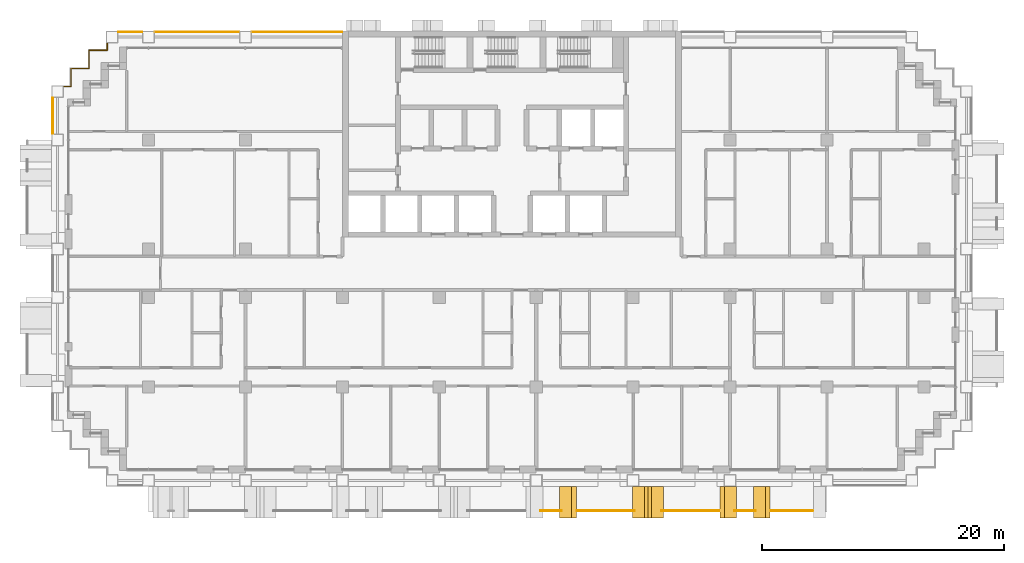
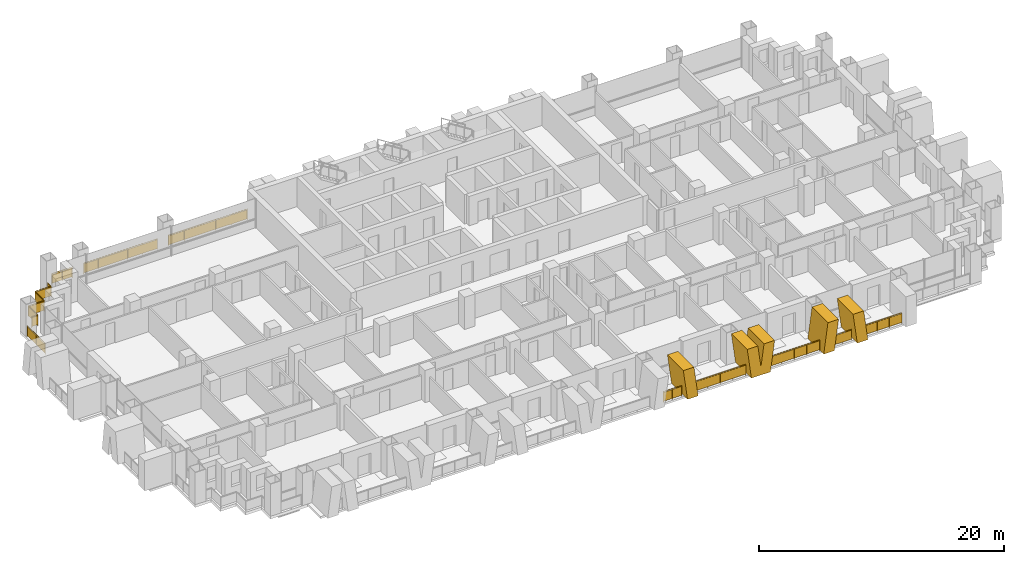
# One storey, part 16 of 18: 10 railings, 4 shading devices.
"""IFC4 building model written with IfcOpenShell, lengths in metres."""

from ifc_helpers import new_model, si_unit, direction, frame, origin, origin_2d, place, context, subcontext, project, spatial, polyline, rectangle, circle, outline, extrude, material, layer, layer_set, type_object, element, save


model = new_model("IFC4")

# Units and contexts
model_context = context("Model", 3, precision=1e-05, world=origin(), true_north=direction((0.0, 1.0)))
body_context = subcontext(model_context, "Body", "Model", "MODEL_VIEW")
ifc_project = project(units=[si_unit("LENGTHUNIT", "METRE"), si_unit("AREAUNIT", "SQUARE_METRE"), si_unit("VOLUMEUNIT", "CUBIC_METRE"), si_unit("PLANEANGLEUNIT", "RADIAN"), si_unit("MASSUNIT", "GRAM", prefix="KILO")], contexts=[model_context])

# Site, building, storey
site_placement = place(None, origin())
site = spatial("IfcSite", under=ifc_project, at=site_placement, CompositionType="ELEMENT")
building_placement = place(site_placement, origin())
building = spatial("IfcBuilding", under=site, at=building_placement, Name="Vidyagriha Tower", CompositionType="ELEMENT")
storey_placement = place(building_placement, frame((0.0, 0.0, 44.800048828125)))
storey = spatial("IfcBuildingStorey", under=building, at=storey_placement, Name="L11", CompositionType="ELEMENT", Elevation=44.800048828125)

# Railings
ifc_material_1 = material(Name="Steel ASTM A500 Grade C black painted", Category="steel")
railing_type_1 = type_object("IfcRailingType", Name="Balcony guard 1100", PredefinedType="BALUSTRADE", material=ifc_material_1)
railing_1_placement = place(storey_placement, frame((2.346435546875, -19.60009765625, 0.0)))
element("IfcRailing", 1, at=railing_1_placement, inside=storey, type_object=railing_type_1, Name="Balcony guard L11 R23.1-7", PredefinedType="BALUSTRADE", context=body_context, shape_type="SweptSolid", body=[
    extrude(circle(Radius=0.02490234375, at=origin_2d()), frame((0.0, 0.0, 1.0751953125), z_axis=(1.0, 0.0, 0.0), x_axis=(0.0, 1.0, 0.0)), (0.0, 0.0, 1.0), 1.757080078125),
    extrude(circle(Radius=0.02001953125, at=origin_2d()), origin(), (0.0, 0.0, 1.0), 1.050048828125),
    extrude(circle(Radius=0.02001953125, at=origin_2d()), frame((0.87841796875, 0.0, 0.0)), (0.0, 0.0, 1.0), 1.050048828125),
    extrude(circle(Radius=0.02001953125, at=origin_2d()), frame((1.757080078125, 0.0, 0.0)), (0.0, 0.0, 1.0), 1.050048828125),
    extrude(rectangle(XDim=0.010009765625, YDim=0.900146484375, at=origin_2d()), frame((0.0, 0.0, 0.550048828125), z_axis=(1.0, 0.0, 0.0), x_axis=(0.0, 1.0, 0.0)), (0.0, 0.0, 1.0), 1.757080078125),
])
railing_2_placement = place(storey_placement, frame((5.35498046875, -19.60009765625, 0.0)))
element("IfcRailing", 2, at=railing_2_placement, inside=storey, type_object=railing_type_1, Name="Balcony guard L11 R23.1-8", PredefinedType="BALUSTRADE", context=body_context, shape_type="SweptSolid", body=[
    extrude(circle(Radius=0.02490234375, at=origin_2d()), frame((0.0, 0.0, 1.0751953125), z_axis=(1.0, 0.0, 0.0), x_axis=(0.0, 1.0, 0.0)), (0.0, 0.0, 1.0), 4.773681640625),
    extrude(circle(Radius=0.02001953125, at=origin_2d()), origin(), (0.0, 0.0, 1.0), 1.050048828125),
    extrude(circle(Radius=0.02001953125, at=origin_2d()), frame((1.193359375, 0.0, 0.0)), (0.0, 0.0, 1.0), 1.050048828125),
    extrude(circle(Radius=0.02001953125, at=origin_2d()), frame((2.38671875, 0.0, 0.0)), (0.0, 0.0, 1.0), 1.050048828125),
    extrude(circle(Radius=0.02001953125, at=origin_2d()), frame((3.580322265625, 0.0, 0.0)), (0.0, 0.0, 1.0), 1.050048828125),
    extrude(circle(Radius=0.02001953125, at=origin_2d()), frame((4.773681640625, 0.0, 0.0)), (0.0, 0.0, 1.0), 1.050048828125),
    extrude(rectangle(XDim=0.010009765625, YDim=0.900146484375, at=origin_2d()), frame((0.0, 0.0, 0.550048828125), z_axis=(1.0, 0.0, 0.0), x_axis=(0.0, 1.0, 0.0)), (0.0, 0.0, 1.0), 4.773681640625),
])
railing_3_placement = place(storey_placement, frame((12.321533203125, -19.60009765625, 0.0)))
element("IfcRailing", 3, at=railing_3_placement, inside=storey, type_object=railing_type_1, Name="Balcony guard L11 R23.1-9", PredefinedType="BALUSTRADE", context=body_context, shape_type="SweptSolid", body=[
    extrude(circle(Radius=0.02490234375, at=origin_2d()), frame((0.0, 0.0, 1.0751953125), z_axis=(1.0, 0.0, 0.0), x_axis=(0.0, 1.0, 0.0)), (0.0, 0.0, 1.0), 4.7734375),
    extrude(circle(Radius=0.02001953125, at=origin_2d()), origin(), (0.0, 0.0, 1.0), 1.050048828125),
    extrude(circle(Radius=0.02001953125, at=origin_2d()), frame((1.193359375, 0.0, 0.0)), (0.0, 0.0, 1.0), 1.050048828125),
    extrude(circle(Radius=0.02001953125, at=origin_2d()), frame((2.38671875, 0.0, 0.0)), (0.0, 0.0, 1.0), 1.050048828125),
    extrude(circle(Radius=0.02001953125, at=origin_2d()), frame((3.580078125, 0.0, 0.0)), (0.0, 0.0, 1.0), 1.050048828125),
    extrude(circle(Radius=0.02001953125, at=origin_2d()), frame((4.7734375, 0.0, 0.0)), (0.0, 0.0, 1.0), 1.050048828125),
    extrude(rectangle(XDim=0.010009765625, YDim=0.900146484375, at=origin_2d()), frame((0.0, 0.0, 0.550048828125), z_axis=(1.0, 0.0, 0.0), x_axis=(0.0, 1.0, 0.0)), (0.0, 0.0, 1.0), 4.7734375),
])
railing_4_placement = place(storey_placement, frame((18.346435546875, -19.60009765625, 0.0)))
element("IfcRailing", 4, at=railing_4_placement, inside=storey, type_object=railing_type_1, Name="Balcony guard L11 R23.1-10", PredefinedType="BALUSTRADE", context=body_context, shape_type="SweptSolid", body=[
    extrude(circle(Radius=0.02490234375, at=origin_2d()), frame((0.0, 0.0, 1.0751953125), z_axis=(1.0, 0.0, 0.0), x_axis=(0.0, 1.0, 0.0)), (0.0, 0.0, 1.0), 1.757080078125),
    extrude(circle(Radius=0.02001953125, at=origin_2d()), origin(), (0.0, 0.0, 1.0), 1.050048828125),
    extrude(circle(Radius=0.02001953125, at=origin_2d()), frame((0.87841796875, 0.0, 0.0)), (0.0, 0.0, 1.0), 1.050048828125),
    extrude(circle(Radius=0.02001953125, at=origin_2d()), frame((1.757080078125, 0.0, 0.0)), (0.0, 0.0, 1.0), 1.050048828125),
    extrude(rectangle(XDim=0.010009765625, YDim=0.900146484375, at=origin_2d()), frame((0.0, 0.0, 0.550048828125), z_axis=(1.0, 0.0, 0.0), x_axis=(0.0, 1.0, 0.0)), (0.0, 0.0, 1.0), 1.757080078125),
])
railing_5_placement = place(storey_placement, frame((21.35498046875, -19.60009765625, 0.0)))
element("IfcRailing", 5, at=railing_5_placement, inside=storey, type_object=railing_type_1, Name="Balcony guard L11 R23.1-11", PredefinedType="BALUSTRADE", context=body_context, shape_type="SweptSolid", body=[
    extrude(circle(Radius=0.02490234375, at=origin_2d()), frame((0.0, 0.0, 1.0751953125), z_axis=(1.0, 0.0, 0.0), x_axis=(0.0, 1.0, 0.0)), (0.0, 0.0, 1.0), 3.469970703125),
    extrude(circle(Radius=0.02001953125, at=origin_2d()), origin(), (0.0, 0.0, 1.0), 1.050048828125),
    extrude(circle(Radius=0.02001953125, at=origin_2d()), frame((1.15673828125, 0.0, 0.0)), (0.0, 0.0, 1.0), 1.050048828125),
    extrude(circle(Radius=0.02001953125, at=origin_2d()), frame((2.313232421875, 0.0, 0.0)), (0.0, 0.0, 1.0), 1.050048828125),
    extrude(circle(Radius=0.02001953125, at=origin_2d()), frame((3.469970703125, 0.0, 0.0)), (0.0, 0.0, 1.0), 1.050048828125),
    extrude(rectangle(XDim=0.010009765625, YDim=0.900146484375, at=origin_2d()), frame((0.0, 0.0, 0.550048828125), z_axis=(1.0, 0.0, 0.0), x_axis=(0.0, 1.0, 0.0)), (0.0, 0.0, 1.0), 3.469970703125),
])

# Shading devices
ifc_material_2 = material(Name="Precast concrete C40/50 with buff brick facing", Category="concrete")
ifc_layer_1 = layer(ifc_material_2, 1.0)
ifc_layer_set_1 = layer_set([ifc_layer_1], Name="Precast concrete C40/50 with buff brick facing")
shading_device_type_1 = type_object("IfcShadingDeviceType", Name="Brick-faced blade fin arm leaning 8 degrees", PredefinedType="USERDEFINED", material=ifc_layer_set_1)
shading_device_1_placement = place(storey_placement, frame((3.909912109375, -18.89990234375, 0.0)))
element("IfcShadingDevice", 6, at=shading_device_1_placement, inside=storey, type_object=shading_device_type_1, Name="Leaning blade fin L11 R23.3380b", ObjectType="BLADE FIN", PredefinedType="USERDEFINED", context=body_context, shape_type="SweptSolid", body=[
    extrude(outline(polyline([(0.39501953125, 0.0), (1.39501953125, 0.0), (1.0, 3.0), (0.0, 3.0), (0.39501953125, 0.0)])), frame((0.0, 1.300048828125, 0.0), z_axis=(0.0, -1.0, 0.0), x_axis=(1.0, 0.0, 0.0)), (0.0, 0.0, 1.0), 2.60009765625),
])
shading_device_2_placement = place(storey_placement, frame((17.14501953125, -18.89990234375, 0.0)))
element("IfcShadingDevice", 7, at=shading_device_2_placement, inside=storey, type_object=shading_device_type_1, Name="Leaning blade fin L11 R23.4980a", ObjectType="BLADE FIN", PredefinedType="USERDEFINED", context=body_context, shape_type="SweptSolid", body=[
    extrude(outline(polyline([(0.0, 0.0), (1.0, 0.0), (1.39501953125, 3.0), (0.39501953125, 3.0), (0.0, 0.0)])), frame((0.0, 1.300048828125, 0.0), z_axis=(0.0, -1.0, 0.0), x_axis=(1.0, 0.0, 0.0)), (0.0, 0.0, 1.0), 2.60009765625),
])
shading_device_3_placement = place(storey_placement, frame((19.909912109375, -18.89990234375, 0.0)))
element("IfcShadingDevice", 8, at=shading_device_3_placement, inside=storey, type_object=shading_device_type_1, Name="Leaning blade fin L11 R23.4980b", ObjectType="BLADE FIN", PredefinedType="USERDEFINED", context=body_context, shape_type="SweptSolid", body=[
    extrude(outline(polyline([(0.39501953125, 0.0), (1.39501953125, 0.0), (1.0, 3.0), (0.0, 3.0), (0.39501953125, 0.0)])), frame((0.0, 1.300048828125, 0.0), z_axis=(0.0, -1.0, 0.0), x_axis=(1.0, 0.0, 0.0)), (0.0, 0.0, 1.0), 2.60009765625),
])
ifc_material_3 = material(Name="Precast concrete C40/50 with buff brick facing", Category="concrete")
ifc_layer_2 = layer(ifc_material_3, 1.0)
ifc_layer_set_2 = layer_set([ifc_layer_2], Name="Precast concrete C40/50 with buff brick facing")
shading_device_type_2 = type_object("IfcShadingDeviceType", Name="Brick-faced blade fin forking 8 degrees", PredefinedType="USERDEFINED", material=ifc_layer_set_2)
shading_device_4_placement = place(storey_placement, frame((9.93505859375, -18.89990234375, 0.0)))
element("IfcShadingDevice", 9, at=shading_device_4_placement, inside=storey, type_object=shading_device_type_2, Name="Forked blade fin L11 R23.4180a", ObjectType="BLADE FIN", PredefinedType="USERDEFINED", context=body_context, shape_type="SweptSolid", body=[
    extrude(outline(polyline([(0.39501953125, 0.0), (2.18505859375, 0.0), (2.580078125, 3.0), (1.580078125, 3.0), (1.2900390625, 0.79736328125), (1.0, 3.0), (0.0, 3.0), (0.39501953125, 0.0)])), frame((0.0, 1.300048828125, 0.0), z_axis=(0.0, -1.0, 0.0), x_axis=(1.0, 0.0, 0.0)), (0.0, 0.0, 1.0), 2.60009765625),
])

# Railings
ifc_material_4 = material(Name="Steel ASTM A500 Grade C black painted", Category="steel")
railing_type_2 = type_object("IfcRailingType", Name="Gallery guard 1100", PredefinedType="GUARDRAIL", material=ifc_material_4)
railing_6_placement = place(storey_placement, frame((-37.89990234375, 11.530029296875, 0.0)))
element("IfcRailing", 10, at=railing_6_placement, inside=storey, type_object=railing_type_2, Name="Gallery guard L11 3", PredefinedType="GUARDRAIL", context=body_context, shape_type="SweptSolid", body=[
    extrude(circle(Radius=0.02490234375, at=origin_2d()), frame((0.0, 0.0, 1.0751953125), z_axis=(0.0, 1.0, 0.0), x_axis=(-1.0, 0.0, 0.0)), (0.0, 0.0, 1.0), 2.93994140625),
    extrude(circle(Radius=0.02001953125, at=origin_2d()), origin(), (0.0, 0.0, 1.0), 1.050048828125),
    extrude(circle(Radius=0.02001953125, at=origin_2d()), frame((0.0, 1.469970703125, 0.0)), (0.0, 0.0, 1.0), 1.050048828125),
    extrude(circle(Radius=0.02001953125, at=origin_2d()), frame((0.0, 2.93994140625, 0.0)), (0.0, 0.0, 1.0), 1.050048828125),
    extrude(rectangle(XDim=0.010009765625, YDim=0.900146484375, at=origin_2d()), frame((0.0, 0.0, 0.550048828125), z_axis=(0.0, 1.0, 0.0), x_axis=(-1.0, 0.0, 0.0)), (0.0, 0.0, 1.0), 2.93994140625),
])
railing_7_placement = place(storey_placement, frame((-36.969970703125, 15.39990234375, 0.0)))
element("IfcRailing", 11, at=railing_7_placement, inside=storey, type_object=railing_type_2, Name="Gallery guard L11 5", PredefinedType="GUARDRAIL", context=body_context, shape_type="SweptSolid", body=[
    extrude(circle(Radius=0.02490234375, at=origin_2d()), frame((0.0, 0.0, 1.0751953125), z_axis=(1.0, 0.0, 0.0), x_axis=(0.0, 1.0, 0.0)), (0.0, 0.0, 1.0), 0.570068359375),
    extrude(circle(Radius=0.02490234375, at=origin_2d()), frame((0.570068359375, 0.0, 1.0751953125), z_axis=(0.0, 1.0, 0.0), x_axis=(-1.0, 0.0, 0.0)), (0.0, 0.0, 1.0), 1.5),
    extrude(circle(Radius=0.02490234375, at=origin_2d()), frame((0.570068359375, 1.5, 1.0751953125), z_axis=(1.0, 0.0, 0.0), x_axis=(0.0, 1.0, 0.0)), (0.0, 0.0, 1.0), 1.5),
    extrude(circle(Radius=0.02490234375, at=origin_2d()), frame((2.070068359375, 1.5, 1.0751953125), z_axis=(0.0, 1.0, 0.0), x_axis=(-1.0, 0.0, 0.0)), (0.0, 0.0, 1.0), 1.5),
    extrude(circle(Radius=0.02490234375, at=origin_2d()), frame((2.070068359375, 3.0, 1.0751953125), z_axis=(1.0, 0.0, 0.0), x_axis=(0.0, 1.0, 0.0)), (0.0, 0.0, 1.0), 1.5),
    extrude(circle(Radius=0.02490234375, at=origin_2d()), frame((3.570068359375, 3.0, 1.0751953125), z_axis=(0.0, 1.0, 0.0), x_axis=(-1.0, 0.0, 0.0)), (0.0, 0.0, 1.0), 0.570068359375),
    extrude(circle(Radius=0.02001953125, at=origin_2d()), origin(), (0.0, 0.0, 1.0), 1.050048828125),
    extrude(circle(Radius=0.02001953125, at=origin_2d()), frame((0.570068359375, 0.0, 0.0)), (0.0, 0.0, 1.0), 1.050048828125),
    extrude(circle(Radius=0.02001953125, at=origin_2d()), frame((0.570068359375, 1.5, 0.0)), (0.0, 0.0, 1.0), 1.050048828125),
    extrude(circle(Radius=0.02001953125, at=origin_2d()), frame((2.070068359375, 1.5, 0.0)), (0.0, 0.0, 1.0), 1.050048828125),
    extrude(circle(Radius=0.02001953125, at=origin_2d()), frame((2.070068359375, 3.0, 0.0)), (0.0, 0.0, 1.0), 1.050048828125),
    extrude(circle(Radius=0.02001953125, at=origin_2d()), frame((3.570068359375, 3.0, 0.0)), (0.0, 0.0, 1.0), 1.050048828125),
    extrude(circle(Radius=0.02001953125, at=origin_2d()), frame((3.570068359375, 3.570068359375, 0.0)), (0.0, 0.0, 1.0), 1.050048828125),
    extrude(rectangle(XDim=0.010009765625, YDim=0.900146484375, at=origin_2d()), frame((0.0, 0.0, 0.550048828125), z_axis=(1.0, 0.0, 0.0), x_axis=(0.0, 1.0, 0.0)), (0.0, 0.0, 1.0), 0.570068359375),
    extrude(rectangle(XDim=0.010009765625, YDim=0.900146484375, at=origin_2d()), frame((0.570068359375, 0.0, 0.550048828125), z_axis=(0.0, 1.0, 0.0), x_axis=(-1.0, 0.0, 0.0)), (0.0, 0.0, 1.0), 1.5),
    extrude(rectangle(XDim=0.010009765625, YDim=0.900146484375, at=origin_2d()), frame((0.570068359375, 1.5, 0.550048828125), z_axis=(1.0, 0.0, 0.0), x_axis=(0.0, 1.0, 0.0)), (0.0, 0.0, 1.0), 1.5),
    extrude(rectangle(XDim=0.010009765625, YDim=0.900146484375, at=origin_2d()), frame((2.070068359375, 1.5, 0.550048828125), z_axis=(0.0, 1.0, 0.0), x_axis=(-1.0, 0.0, 0.0)), (0.0, 0.0, 1.0), 1.5),
    extrude(rectangle(XDim=0.010009765625, YDim=0.900146484375, at=origin_2d()), frame((2.070068359375, 3.0, 0.550048828125), z_axis=(1.0, 0.0, 0.0), x_axis=(0.0, 1.0, 0.0)), (0.0, 0.0, 1.0), 1.5),
    extrude(rectangle(XDim=0.010009765625, YDim=0.900146484375, at=origin_2d()), frame((3.570068359375, 3.0, 0.550048828125), z_axis=(0.0, 1.0, 0.0), x_axis=(-1.0, 0.0, 0.0)), (0.0, 0.0, 1.0), 0.570068359375),
])
railing_8_placement = place(storey_placement, frame((-32.469970703125, 19.89990234375, 0.0)))
element("IfcRailing", 12, at=railing_8_placement, inside=storey, type_object=railing_type_2, Name="Gallery guard L11 7", PredefinedType="GUARDRAIL", context=body_context, shape_type="SweptSolid", body=[
    extrude(circle(Radius=0.02490234375, at=origin_2d()), frame((0.0, 0.0, 1.0751953125), z_axis=(1.0, 0.0, 0.0), x_axis=(0.0, 1.0, 0.0)), (0.0, 0.0, 1.0), 1.93994140625),
    extrude(circle(Radius=0.02001953125, at=origin_2d()), origin(), (0.0, 0.0, 1.0), 1.050048828125),
    extrude(circle(Radius=0.02001953125, at=origin_2d()), frame((0.969970703125, 0.0, 0.0)), (0.0, 0.0, 1.0), 1.050048828125),
    extrude(circle(Radius=0.02001953125, at=origin_2d()), frame((1.93994140625, 0.0, 0.0)), (0.0, 0.0, 1.0), 1.050048828125),
    extrude(rectangle(XDim=0.010009765625, YDim=0.900146484375, at=origin_2d()), frame((0.0, 0.0, 0.550048828125), z_axis=(1.0, 0.0, 0.0), x_axis=(0.0, 1.0, 0.0)), (0.0, 0.0, 1.0), 1.93994140625),
])
railing_9_placement = place(storey_placement, frame((-29.469970703125, 19.89990234375, 0.0)))
element("IfcRailing", 13, at=railing_9_placement, inside=storey, type_object=railing_type_2, Name="Gallery guard L11 8", PredefinedType="GUARDRAIL", context=body_context, shape_type="SweptSolid", body=[
    extrude(circle(Radius=0.02490234375, at=origin_2d()), frame((0.0, 0.0, 1.0751953125), z_axis=(1.0, 0.0, 0.0), x_axis=(0.0, 1.0, 0.0)), (0.0, 0.0, 1.0), 6.93994140625),
    extrude(circle(Radius=0.02001953125, at=origin_2d()), origin(), (0.0, 0.0, 1.0), 1.050048828125),
    extrude(circle(Radius=0.02001953125, at=origin_2d()), frame((1.387939453125, 0.0, 0.0)), (0.0, 0.0, 1.0), 1.050048828125),
    extrude(circle(Radius=0.02001953125, at=origin_2d()), frame((2.77587890625, 0.0, 0.0)), (0.0, 0.0, 1.0), 1.050048828125),
    extrude(circle(Radius=0.02001953125, at=origin_2d()), frame((4.1640625, 0.0, 0.0)), (0.0, 0.0, 1.0), 1.050048828125),
    extrude(circle(Radius=0.02001953125, at=origin_2d()), frame((5.552001953125, 0.0, 0.0)), (0.0, 0.0, 1.0), 1.050048828125),
    extrude(circle(Radius=0.02001953125, at=origin_2d()), frame((6.93994140625, 0.0, 0.0)), (0.0, 0.0, 1.0), 1.050048828125),
    extrude(rectangle(XDim=0.010009765625, YDim=0.900146484375, at=origin_2d()), frame((0.0, 0.0, 0.550048828125), z_axis=(1.0, 0.0, 0.0), x_axis=(0.0, 1.0, 0.0)), (0.0, 0.0, 1.0), 6.93994140625),
])
railing_10_placement = place(storey_placement, frame((-21.469970703125, 19.89990234375, 0.0)))
element("IfcRailing", 14, at=railing_10_placement, inside=storey, type_object=railing_type_2, Name="Gallery guard L11 9", PredefinedType="GUARDRAIL", context=body_context, shape_type="SweptSolid", body=[
    extrude(circle(Radius=0.02490234375, at=origin_2d()), frame((0.0, 0.0, 1.0751953125), z_axis=(1.0, 0.0, 0.0), x_axis=(0.0, 1.0, 0.0)), (0.0, 0.0, 1.0), 7.43994140625),
    extrude(circle(Radius=0.02001953125, at=origin_2d()), origin(), (0.0, 0.0, 1.0), 1.050048828125),
    extrude(circle(Radius=0.02001953125, at=origin_2d()), frame((1.488037109375, 0.0, 0.0)), (0.0, 0.0, 1.0), 1.050048828125),
    extrude(circle(Radius=0.02001953125, at=origin_2d()), frame((2.97607421875, 0.0, 0.0)), (0.0, 0.0, 1.0), 1.050048828125),
    extrude(circle(Radius=0.02001953125, at=origin_2d()), frame((4.4638671875, 0.0, 0.0)), (0.0, 0.0, 1.0), 1.050048828125),
    extrude(circle(Radius=0.02001953125, at=origin_2d()), frame((5.951904296875, 0.0, 0.0)), (0.0, 0.0, 1.0), 1.050048828125),
    extrude(circle(Radius=0.02001953125, at=origin_2d()), frame((7.43994140625, 0.0, 0.0)), (0.0, 0.0, 1.0), 1.050048828125),
    extrude(rectangle(XDim=0.010009765625, YDim=0.900146484375, at=origin_2d()), frame((0.0, 0.0, 0.550048828125), z_axis=(1.0, 0.0, 0.0), x_axis=(0.0, 1.0, 0.0)), (0.0, 0.0, 1.0), 7.43994140625),
])

save(model, "model.ifc")
